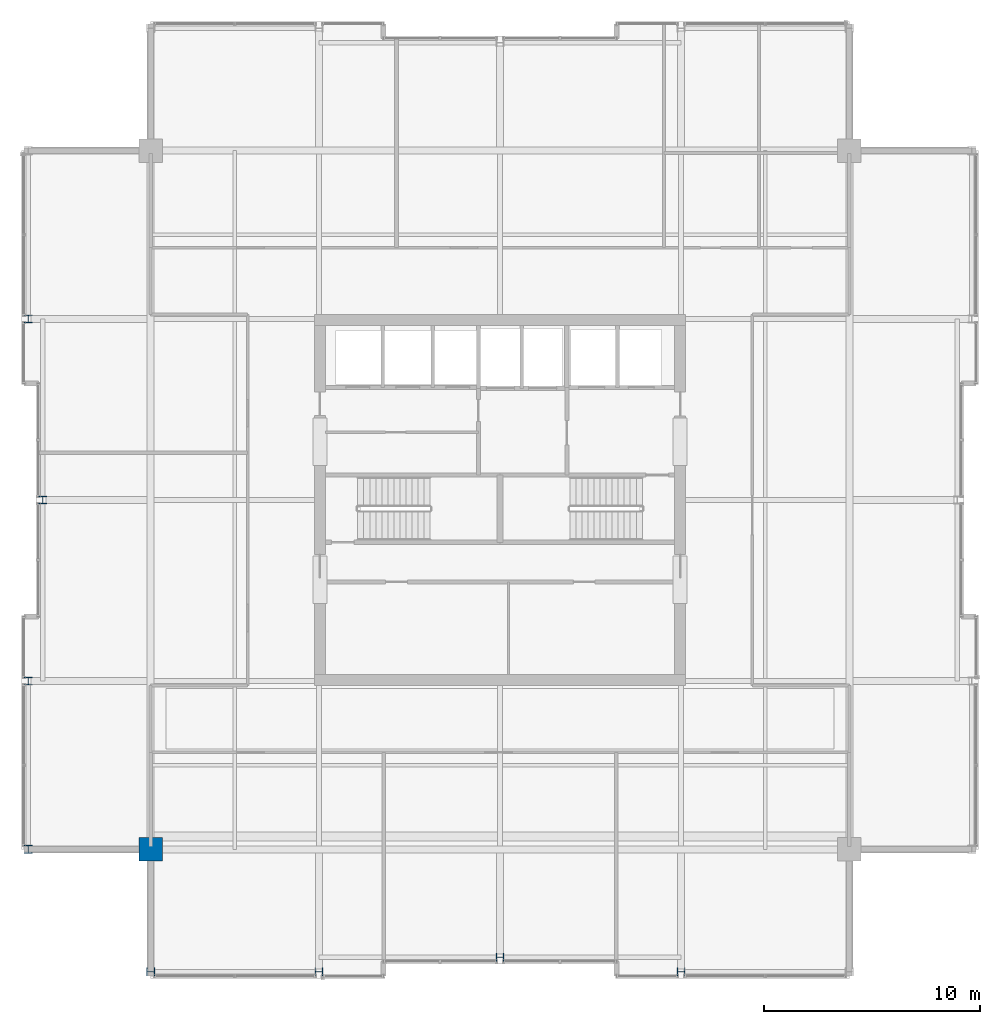
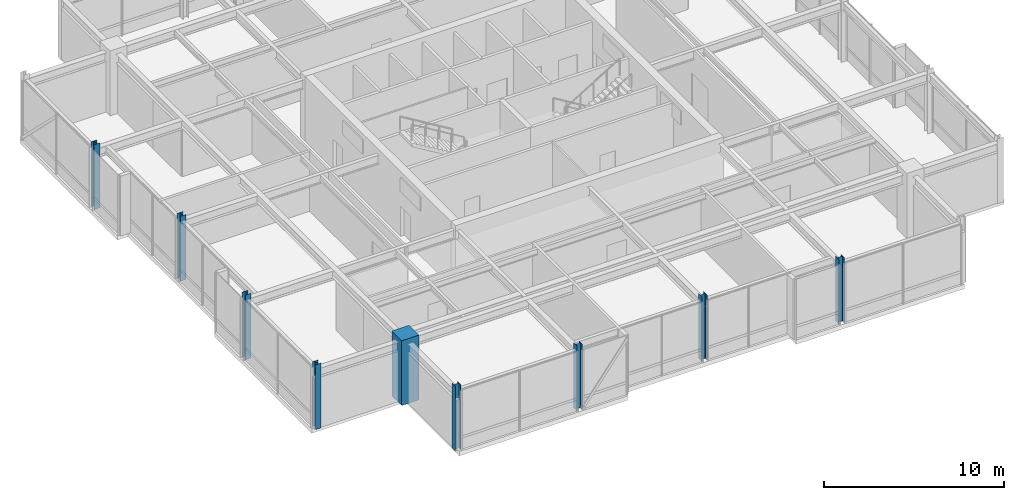
# One storey, part 1 of 33: 9 columns.
"""IFC4 building model written with IfcOpenShell, lengths in metres."""

from ifc_helpers import new_model, si_unit, direction, frame, origin, origin_2d, place, context, subcontext, project, spatial, rectangle, i_section, extrude, material, material_profile, profile_set, type_object, element, save


model = new_model("IFC4")

# Units and contexts
model_context = context("Model", 3, precision=1e-05, world=origin(), true_north=direction((0.0, 1.0)))
body_context = subcontext(model_context, "Body", "Model", "MODEL_VIEW")
ifc_project = project(units=[si_unit("LENGTHUNIT", "METRE"), si_unit("AREAUNIT", "SQUARE_METRE"), si_unit("VOLUMEUNIT", "CUBIC_METRE"), si_unit("PLANEANGLEUNIT", "RADIAN"), si_unit("MASSUNIT", "GRAM", prefix="KILO")], contexts=[model_context])

# Site, building, storey
site_placement = place(None, origin())
site = spatial("IfcSite", under=ifc_project, at=site_placement, CompositionType="ELEMENT")
building_placement = place(site_placement, origin())
building = spatial("IfcBuilding", under=site, at=building_placement, Name="Drelvath Grand Hotel", CompositionType="ELEMENT")
storey_placement = place(building_placement, frame((0.0, 0.0, 298.60009765625)))
storey = spatial("IfcBuildingStorey", under=building, at=storey_placement, Name="L78", CompositionType="ELEMENT", Elevation=298.60009765625)

# Columns
ifc_material_1 = material(Name="Concrete f'c 55 MPa", Category="concrete")
ifc_material_profile_1 = material_profile(ifc_material_1, rectangle(XDim=1.10009765625, YDim=1.10009765625, at=origin_2d()), Name="MC1100X1100")
ifc_profile_set_1 = profile_set([ifc_material_profile_1], Name="Concrete f'c 55 MPa")
column_type_1 = type_object("IfcColumnType", Name="Composite Mega Column MC1100X1100", PredefinedType="COLUMN", material=ifc_profile_set_1)
column_placement = place(storey_placement, frame((-16.199951171875, 10.800048828125, 0.0), z_axis=(0.0, 0.0, 1.0), x_axis=(1.0, 0.0, 0.0)))
element("IfcColumn", 1, at=column_placement, inside=storey, type_object=column_type_1, Name="L78 Composite Mega Column MC-SW", PredefinedType="COLUMN", context=body_context, shape_type="SweptSolid", body=[
    extrude(rectangle(XDim=1.10009765625, YDim=1.10009765625, at=origin_2d()), origin(), (0.0, 0.0, 1.0), 4.39990234375),
])
ifc_material_2 = material(Name="Steel ASTM A913 Gr 65", Category="steel")
ifc_material_profile_2 = material_profile(ifc_material_2, i_section(OverallWidth=0.368896484375, OverallDepth=0.356201171875, WebThickness=0.01123046875, FlangeThickness=0.01806640625, FilletRadius=0.02490234375, at=origin_2d()), Name="W14X90")
ifc_profile_set_2 = profile_set([ifc_material_profile_2], Name="Steel ASTM A913 Gr 65")
column_type_2 = type_object("IfcColumnType", Name="Perimeter Steel Column W14X90", PredefinedType="COLUMN", material=ifc_profile_set_2)
for number, where, z_axis, x_axis, name in (
    (2, (-21.8798828125, 10.800048828125, 0.0), (0.0, 0.0, 1.0), (1.0, 0.0, 0.0), "L78 Structural Column TCW-C"),
    (3, (-21.8798828125, 18.60009765625, 0.0), (0.0, 0.0, 1.0), (1.0, 0.0, 0.0), "L78 Structural Column TCW-D"),
    (4, (-21.199951171875, 27.0, 0.0), (0.0, 0.0, 1.0), (1.0, 0.0, 0.0), "L78 Structural Column TCW-E"),
    (5, (-21.8798828125, 35.39990234375, 0.0), (0.0, 0.0, 1.0), (1.0, 0.0, 0.0), "L78 Structural Column TCW-F"),
    (6, (-16.199951171875, 5.1201171875, 0.0), (0.0, 0.0, 1.0), (0.0, 1.0, 0.0), "L78 Structural Column TCS-3"),
    (7, (-8.39990234375, 5.1201171875, 0.0), (0.0, 0.0, 1.0), (0.0, 1.0, 0.0), "L78 Structural Column TCS-4"),
    (8, (0.0, 5.800048828125, 0.0), (0.0, 0.0, 1.0), (0.0, 1.0, 0.0), "L78 Structural Column TCS-5"),
    (9, (8.39990234375, 5.1201171875, 0.0), (0.0, 0.0, 1.0), (0.0, 1.0, 0.0), "L78 Structural Column TCS-6"),
):
    element("IfcColumn", number, at=place(storey_placement, frame(where, z_axis=z_axis, x_axis=x_axis)), inside=storey, type_object=column_type_2, Name=name, PredefinedType="COLUMN", context=body_context, shape_type="SweptSolid", body=[
        extrude(i_section(OverallWidth=0.368896484375, OverallDepth=0.356201171875, WebThickness=0.01123046875, FlangeThickness=0.01806640625, FilletRadius=0.02490234375, at=origin_2d()), origin(), (0.0, 0.0, 1.0), 4.39697265625),
    ])

save(model, "model.ifc")
